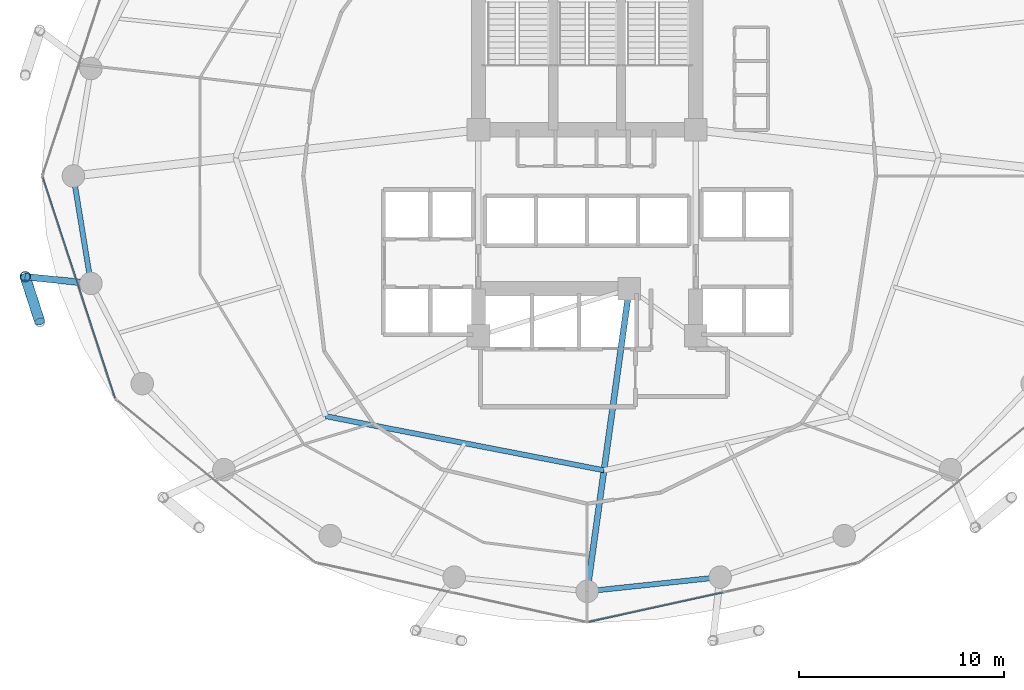
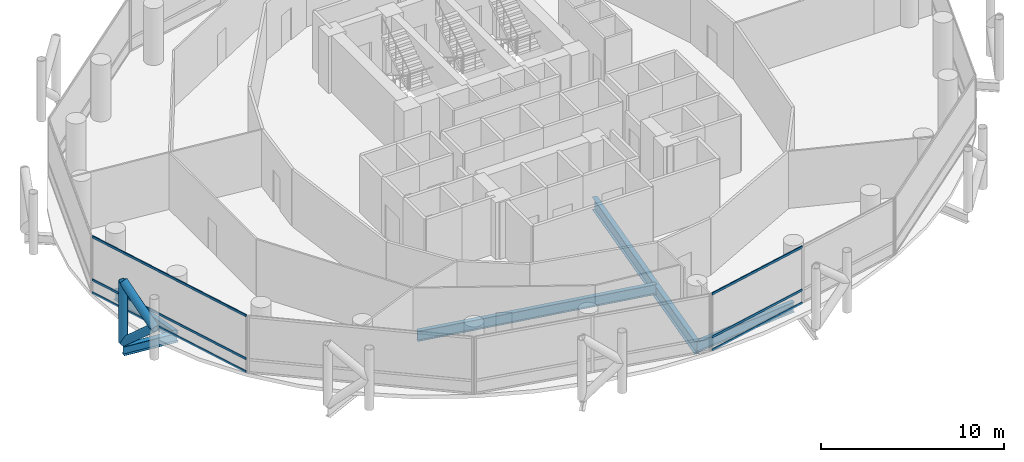
# One storey, part 5 of 25: 9 members, 5 beams, 2 elements without a shape of their own.
"""IFC4 building model written with IfcOpenShell, lengths in metres."""

from ifc_helpers import new_model, si_unit, direction, frame, origin, origin_2d, place, context, subcontext, project, spatial, hollow_rectangle, hollow_circle, i_section, extrude, material, layer, layer_set, material_profile, profile_set, type_object, element, aggregate, save


model = new_model("IFC4")

# Units and contexts
model_context = context("Model", 3, precision=1e-05, world=origin(), true_north=direction((0.0, 1.0)))
body_context = subcontext(model_context, "Body", "Model", "MODEL_VIEW")
ifc_project = project(units=[si_unit("LENGTHUNIT", "METRE"), si_unit("AREAUNIT", "SQUARE_METRE"), si_unit("VOLUMEUNIT", "CUBIC_METRE"), si_unit("PLANEANGLEUNIT", "RADIAN"), si_unit("MASSUNIT", "GRAM", prefix="KILO")], contexts=[model_context])

# Site, building, storey
site_placement = place(None, origin())
site = spatial("IfcSite", under=ifc_project, at=site_placement, CompositionType="ELEMENT")
building_placement = place(site_placement, origin())
building = spatial("IfcBuilding", under=site, at=building_placement, Name="Nuhasar Tower", CompositionType="ELEMENT")
storey_placement = place(building_placement, frame((0.0, 0.0, 65.550048828125)))
storey = spatial("IfcBuildingStorey", under=building, at=storey_placement, Name="L15", CompositionType="ELEMENT", Elevation=65.550048828125)

# Beams
ifc_material_1 = material(Name="Steel S355", Category="steel")
ifc_material_profile_1 = material_profile(ifc_material_1, i_section(OverallWidth=0.25390625, OverallDepth=0.68408203125, WebThickness=0.012451171875, FlangeThickness=0.018798828125, at=origin_2d()), Name="W27X94")
ifc_profile_set_1 = profile_set([ifc_material_profile_1], Name="Steel S355")
beam_type_1 = type_object("IfcBeamType", Name="BM-INRING-W27X94", PredefinedType="BEAM", material=ifc_profile_set_1)
beam_1_placement = place(storey_placement, frame((26.251953125, 15.089111328125, -0.592041015625), z_axis=(0.981602977761, -0.190933480695, 0.0), x_axis=(0.190933480695, 0.981602977761, 0.0)))
element("IfcBeam", 1, at=beam_1_placement, inside=storey, type_object=beam_type_1, Name="L15 Inner Header Beam 01", PredefinedType="BEAM", context=body_context, shape_type="SweptSolid", body=[
    extrude(i_section(OverallWidth=0.25390625, OverallDepth=0.68408203125, WebThickness=0.012451171875, FlangeThickness=0.018798828125, at=origin_2d()), origin(), (0.0, 0.0, 1.0), 13.822509765625),
])
ifc_material_profile_2 = material_profile(ifc_material_1, i_section(OverallWidth=0.2919921875, OverallDepth=0.85888671875, WebThickness=0.01708984375, FlangeThickness=0.031005859375, at=origin_2d()), Name="W33X169")
ifc_profile_set_2 = profile_set([ifc_material_profile_2], Name="Steel S355")
beam_type_2 = type_object("IfcBeamType", Name="BM-POD-W33X169", PredefinedType="BEAM", material=ifc_profile_set_2)
beam_2_placement = place(storey_placement, frame((41.050048828125, 21.300048828125, -0.679931640625), z_axis=(-0.137663087856, -0.990479113481, 0.0), x_axis=(0.990479113481, -0.137663087856, 0.0)))
element("IfcBeam", 2, at=beam_2_placement, inside=storey, type_object=beam_type_2, Name="L15 Radial Floor Girder 02", PredefinedType="BEAM", context=body_context, shape_type="SweptSolid", body=[
    extrude(i_section(OverallWidth=0.2919921875, OverallDepth=0.85888671875, WebThickness=0.01708984375, FlangeThickness=0.031005859375, at=origin_2d()), origin(), (0.0, 0.0, 1.0), 14.891845703125),
])
ifc_material_profile_3 = material_profile(ifc_material_1, i_section(OverallWidth=0.256103515625, OverallDepth=0.693115234375, WebThickness=0.014404296875, FlangeThickness=0.023681640625, at=origin_2d()), Name="W27X114")
ifc_profile_set_3 = profile_set([ifc_material_profile_3], Name="Steel S355")
beam_type_3 = type_object("IfcBeamType", Name="BM-RING-W27X114", PredefinedType="SPANDREL", material=ifc_profile_set_3)
beam_3_placement = place(storey_placement, frame((13.949951171875, 26.800048828125, -0.59716796875), z_axis=(0.160826635486, -0.986982671235, 0.0), x_axis=(0.986982671235, 0.160826635486, 0.0)))
element("IfcBeam", 3, at=beam_3_placement, inside=storey, type_object=beam_type_3, Name="L15 Perimeter Ring Spandrel 13", PredefinedType="SPANDREL", context=body_context, shape_type="SweptSolid", body=[
    extrude(i_section(OverallWidth=0.256103515625, OverallDepth=0.693115234375, WebThickness=0.014404296875, FlangeThickness=0.023681640625, at=origin_2d()), origin(), (0.0, 0.0, 1.0), 5.31005859375),
])
beam_4_placement = place(storey_placement, frame((39.0, 6.550048828125, -0.59716796875), z_axis=(0.994384554061, 0.105827022286, 0.0), x_axis=(-0.105827022286, 0.994384554061, 0.0)))
element("IfcBeam", 4, at=beam_4_placement, inside=storey, type_object=beam_type_3, Name="L15 Perimeter Ring Spandrel 19", PredefinedType="SPANDREL", context=body_context, shape_type="SweptSolid", body=[
    extrude(i_section(OverallWidth=0.256103515625, OverallDepth=0.693115234375, WebThickness=0.014404296875, FlangeThickness=0.023681640625, at=origin_2d()), origin(), (0.0, 0.0, 1.0), 6.51953125),
])
ifc_material_profile_4 = material_profile(ifc_material_1, i_section(OverallWidth=0.323974609375, OverallDepth=0.611083984375, WebThickness=0.0126953125, FlangeThickness=0.01904296875, at=origin_2d()), Name="W24X104")
ifc_profile_set_4 = profile_set([ifc_material_profile_4], Name="Steel S355")
beam_type_4 = type_object("IfcBeamType", Name="BM-TIE-W24X104", PredefinedType="BEAM", material=ifc_profile_set_4)
beam_5_placement = place(storey_placement, frame((14.803955078125, 21.55908203125, -0.554931640625), z_axis=(-0.994711572359, 0.102707778751, 0.0), x_axis=(-0.102707778751, -0.994711572359, 0.0)))
element("IfcBeam", 5, at=beam_5_placement, inside=storey, type_object=beam_type_4, Name="L15 Exoskeleton Node Tie Beam 07", PredefinedType="BEAM", context=body_context, shape_type="SweptSolid", body=[
    extrude(i_section(OverallWidth=0.323974609375, OverallDepth=0.611083984375, WebThickness=0.0126953125, FlangeThickness=0.01904296875, at=origin_2d()), origin(), (0.0, 0.0, 1.0), 3.220947265625),
])

# Curtain wall, members
ifc_material_2 = material(Name="Aluminium 6063-T6", Category="aluminium")
ifc_layer = layer(ifc_material_2, 0.199951171875)
ifc_layer_set = layer_set([ifc_layer], Name="Aluminium 6063-T6")
curtain_wall_type = type_object("IfcCurtainWallType", Name="CW-Z1-OFF", PredefinedType="NOTDEFINED", material=ifc_layer_set)
curtain_wall_1_placement = place(storey_placement, origin())
curtain_wall_1 = element("IfcCurtainWall", 6, at=curtain_wall_1_placement, inside=storey, type_object=curtain_wall_type, Name="L15 Unitised Curtain Wall 07", PredefinedType="NOTDEFINED")
ifc_material_profile_5 = material_profile(ifc_material_2, hollow_rectangle(XDim=0.06494140625, YDim=0.14990234375, WallThickness=0.00439453125, at=origin_2d()), Name="CWT-2")
ifc_profile_set_5 = profile_set([ifc_material_profile_5], Name="Aluminium 6063-T6")
member_type_1 = type_object("IfcMemberType", Name="CW-TRN-S2", PredefinedType="USERDEFINED", material=ifc_profile_set_5)
member_1_placement = place(storey_placement, frame((12.460205078125, 26.73828125, 0.032470703125), z_axis=(0.310818687697, -0.950469222741, 0.0), x_axis=(0.950469222741, 0.310818687697, 0.0)))
member_1 = element("IfcMember", 7, at=member_1_placement, type_object=member_type_1, Name="CW-Z1 transom 1.1", ObjectType="TRANSOM", PredefinedType="USERDEFINED", context=body_context, shape_type="SweptSolid", body=[
    extrude(hollow_rectangle(XDim=0.06494140625, YDim=0.14990234375, WallThickness=0.00439453125, at=origin_2d()), origin(), (0.0, 0.0, 1.0), 11.317138671875),
])
member_2_placement = place(storey_placement, frame((12.460205078125, 26.73828125, 0.89990234375), z_axis=(0.310818687697, -0.950469222741, 0.0), x_axis=(0.950469222741, 0.310818687697, 0.0)))
member_2 = element("IfcMember", 8, at=member_2_placement, type_object=member_type_1, Name="CW-Z1 transom 1.2", ObjectType="TRANSOM", PredefinedType="USERDEFINED", context=body_context, shape_type="SweptSolid", body=[
    extrude(hollow_rectangle(XDim=0.06494140625, YDim=0.14990234375, WallThickness=0.00439453125, at=origin_2d()), origin(), (0.0, 0.0, 1.0), 11.317138671875),
])
member_3_placement = place(storey_placement, frame((12.460205078125, 26.73828125, 3.767333984375), z_axis=(0.310818687697, -0.950469222741, 0.0), x_axis=(0.950469222741, 0.310818687697, 0.0)))
member_3 = element("IfcMember", 9, at=member_3_placement, type_object=member_type_1, Name="CW-Z1 transom 1.3", ObjectType="TRANSOM", PredefinedType="USERDEFINED", context=body_context, shape_type="SweptSolid", body=[
    extrude(hollow_rectangle(XDim=0.06494140625, YDim=0.14990234375, WallThickness=0.00439453125, at=origin_2d()), origin(), (0.0, 0.0, 1.0), 11.317138671875),
])
aggregate(curtain_wall_1, [member_1, member_2, member_3])

curtain_wall_2_placement = place(storey_placement, origin())
curtain_wall_2 = element("IfcCurtainWall", 10, at=curtain_wall_2_placement, inside=storey, type_object=curtain_wall_type, Name="L15 Unitised Curtain Wall 10", PredefinedType="NOTDEFINED")
member_4_placement = place(storey_placement, frame((39.0634765625, 5.053955078125, 0.032470703125), z_axis=(0.976747879138, 0.214391185916, 0.0), x_axis=(-0.214391185916, 0.976747879138, 0.0)))
member_4 = element("IfcMember", 11, at=member_4_placement, type_object=member_type_1, Name="CW-Z1 transom 1.1", ObjectType="TRANSOM", PredefinedType="USERDEFINED", context=body_context, shape_type="SweptSolid", body=[
    extrude(hollow_rectangle(XDim=0.06494140625, YDim=0.14990234375, WallThickness=0.00439453125, at=origin_2d()), origin(), (0.0, 0.0, 1.0), 6.700439453125),
])
member_5_placement = place(storey_placement, frame((39.0634765625, 5.053955078125, 0.89990234375), z_axis=(0.976747879138, 0.214391185916, 0.0), x_axis=(-0.214391185916, 0.976747879138, 0.0)))
member_5 = element("IfcMember", 12, at=member_5_placement, type_object=member_type_1, Name="CW-Z1 transom 1.2", ObjectType="TRANSOM", PredefinedType="USERDEFINED", context=body_context, shape_type="SweptSolid", body=[
    extrude(hollow_rectangle(XDim=0.06494140625, YDim=0.14990234375, WallThickness=0.00439453125, at=origin_2d()), origin(), (0.0, 0.0, 1.0), 6.700439453125),
])
member_6_placement = place(storey_placement, frame((39.0634765625, 5.053955078125, 3.767333984375), z_axis=(0.976747879138, 0.214391185916, 0.0), x_axis=(-0.214391185916, 0.976747879138, 0.0)))
member_6 = element("IfcMember", 13, at=member_6_placement, type_object=member_type_1, Name="CW-Z1 transom 1.3", ObjectType="TRANSOM", PredefinedType="USERDEFINED", context=body_context, shape_type="SweptSolid", body=[
    extrude(hollow_rectangle(XDim=0.06494140625, YDim=0.14990234375, WallThickness=0.00439453125, at=origin_2d()), origin(), (0.0, 0.0, 1.0), 6.700439453125),
])
aggregate(curtain_wall_2, [member_4, member_5, member_6])

# Members
ifc_material_3 = material(Name="Steel S460", Category="steel")
ifc_material_profile_6 = material_profile(ifc_material_3, hollow_circle(Radius=0.25390625, WallThickness=0.025390625, at=origin_2d()), Name="HSS508X25.4")
ifc_profile_set_6 = profile_set([ifc_material_profile_6], Name="Steel S460")
member_type_2 = type_object("IfcMemberType", Name="EXO-BRONZE-508", PredefinedType="BRACE", material=ifc_profile_set_6)
member_7_placement = place(storey_placement, frame((11.60009765625, 21.889892578125, 0.0), z_axis=(0.0, 0.0, 1.0), x_axis=(1.0, 0.0, 0.0)))
element("IfcMember", 14, at=member_7_placement, inside=storey, type_object=member_type_2, Name="L15 Exoskeleton Chord Column EC-07A", PredefinedType="BRACE", context=body_context, shape_type="SweptSolid", body=[
    extrude(hollow_circle(Radius=0.25390625, WallThickness=0.025390625, at=origin_2d()), origin(), (0.0, 0.0, 1.0), 4.050048828125),
])
member_8_placement = place(storey_placement, frame((11.60009765625, 21.889892578125, 0.0), z_axis=(0.231011836313, -0.714224870475, 0.660693851854), x_axis=(0.951468282519, 0.307746823478, 0.0)))
element("IfcMember", 15, at=member_8_placement, inside=storey, type_object=member_type_2, Name="L15 Bronze Diagrid Brace W1-07", PredefinedType="BRACE", context=body_context, shape_type="SweptSolid", body=[
    extrude(hollow_circle(Radius=0.25390625, WallThickness=0.025390625, at=origin_2d()), origin(), (0.0, 0.0, 1.0), 3.064697265625),
])
member_9_placement = place(storey_placement, frame((12.30810546875, 19.700927734375, 2.02490234375), z_axis=(-0.230999678299, 0.714187281251, 0.660738734997), x_axis=(-0.951468282519, -0.307746823478, 0.0)))
element("IfcMember", 16, at=member_9_placement, inside=storey, type_object=member_type_2, Name="L15 Bronze Diagrid Brace W2-07", PredefinedType="BRACE", context=body_context, shape_type="SweptSolid", body=[
    extrude(hollow_circle(Radius=0.25390625, WallThickness=0.025390625, at=origin_2d()), origin(), (0.0, 0.0, 1.0), 3.06494140625),
])

save(model, "model.ifc")
